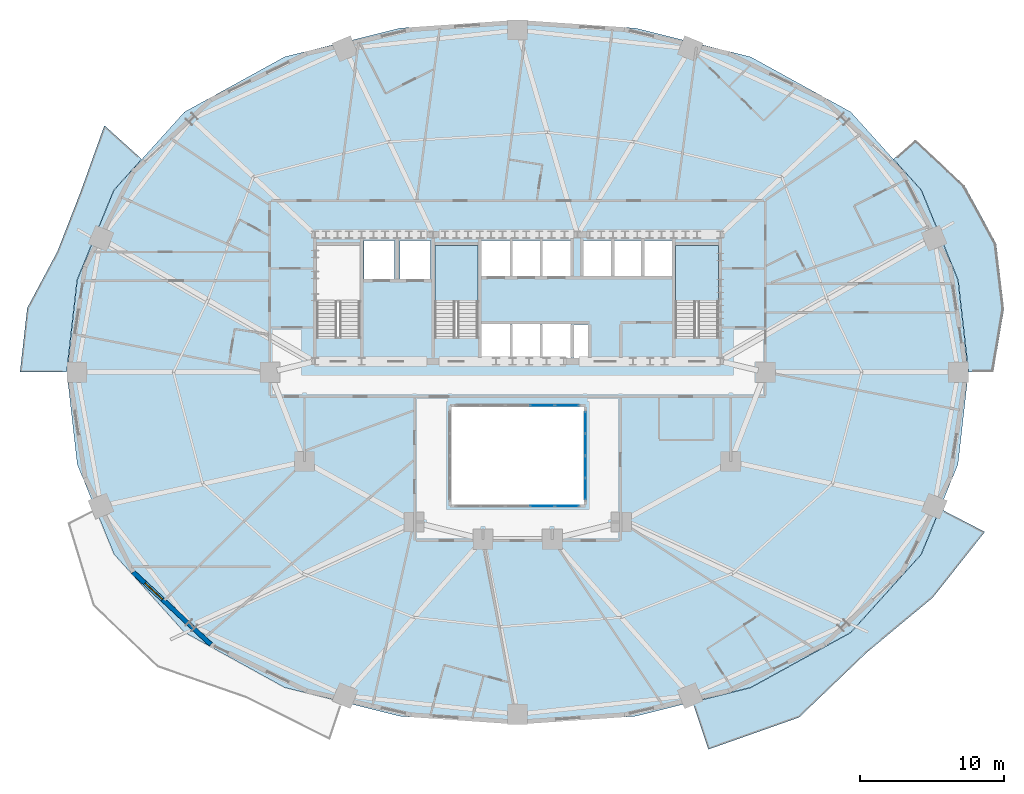
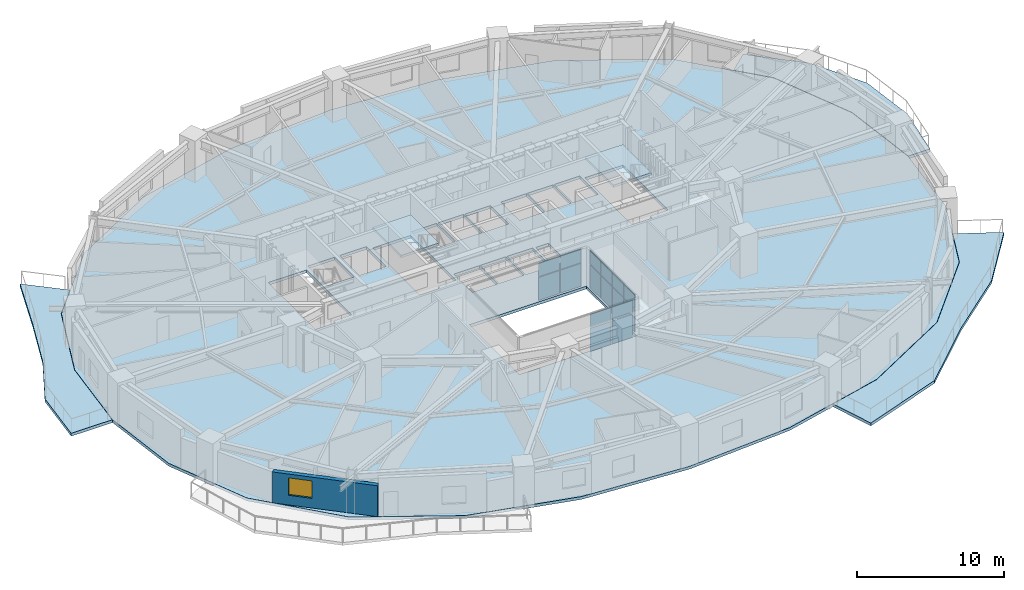
# One storey, part 8 of 17: 16 plates, 6 slabs, 1 wall, 1 window, 1 opening, 5 elements without a shape of their own.
"""IFC4 building model written with IfcOpenShell, lengths in metres."""

from ifc_helpers import new_model, si_unit, direction, frame, frame_2d, origin, origin_2d, place, context, subcontext, project, spatial, polyline, rectangle, outline, extrude, material, layer, layer_set, type_object, element, fill, aggregate, save


model = new_model("IFC4")

# Units and contexts
model_context = context("Model", 3, precision=1e-05, world=origin(), true_north=direction((0.0, 1.0)))
body_context = subcontext(model_context, "Body", "Model", "MODEL_VIEW")
ifc_project = project(units=[si_unit("LENGTHUNIT", "METRE"), si_unit("AREAUNIT", "SQUARE_METRE"), si_unit("VOLUMEUNIT", "CUBIC_METRE"), si_unit("PLANEANGLEUNIT", "RADIAN"), si_unit("MASSUNIT", "GRAM", prefix="KILO")], contexts=[model_context])

# Site, building, storey
site_placement = place(None, origin())
site = spatial("IfcSite", under=ifc_project, at=site_placement, CompositionType="ELEMENT")
building_placement = place(site_placement, origin())
building = spatial("IfcBuilding", under=site, at=building_placement, Name="Haldorwick Loom Tower", CompositionType="ELEMENT")
storey_placement = place(building_placement, frame((0.0, 0.0, 55.050048828125)))
storey = spatial("IfcBuildingStorey", under=building, at=storey_placement, Name="L14", CompositionType="ELEMENT", Elevation=55.050048828125)

# Curtain wall, plates
ifc_material_1 = material(Name="Thermally Broken Anodized Aluminium Curtain Wall Framing", Category="aluminium")
curtain_wall_type = type_object("IfcCurtainWallType", Name="ARC-CW-03", PredefinedType="NOTDEFINED", material=ifc_material_1)
curtain_wall_1_placement = place(storey_placement, origin())
curtain_wall_1 = element("IfcCurtainWall", 1, at=curtain_wall_1_placement, inside=storey, type_object=curtain_wall_type, Name="L14 Atrium Glazed Screen S", PredefinedType="NOTDEFINED")
ifc_material_2 = material(Name="Triple-Glazed Low-E Argon Insulated Glazing Unit", Category="glass")
ifc_layer_1 = layer(ifc_material_2, 0.04296875, Name="Triple-Glazed Low-E Argon Insulated Glazing Unit", Category="glass")
ifc_layer_set_1 = layer_set([ifc_layer_1], Name="Triple-Glazed Low-E Argon Insulated Glazing Unit")
plate_type = type_object("IfcPlateType", Name="ARC-CWP-03", PredefinedType="CURTAIN_PANEL", material=ifc_layer_set_1)
plate_1_placement = place(storey_placement, frame((39.423583984375, 16.699951171875, 0.06591796875), z_axis=(0.0, 0.0, 1.0), x_axis=(-1.0, 0.0, 0.0)))
plate_1 = element("IfcPlate", 2, at=plate_1_placement, type_object=plate_type, Name="CW-03 panel 1.1", PredefinedType="CURTAIN_PANEL", context=body_context, shape_type="SweptSolid", body=[
    extrude(rectangle(XDim=1.62109375, YDim=0.04296875, at=origin_2d()), origin(), (0.0, 0.0, 1.0), 1.90087890625),
])
plate_2_placement = place(storey_placement, frame((39.423583984375, 16.699951171875, 2.03271484375), z_axis=(0.0, 0.0, 1.0), x_axis=(-1.0, 0.0, 0.0)))
plate_2 = element("IfcPlate", 3, at=plate_2_placement, type_object=plate_type, Name="CW-03 panel 1.2", PredefinedType="CURTAIN_PANEL", context=body_context, shape_type="SweptSolid", body=[
    extrude(rectangle(XDim=1.62109375, YDim=0.04296875, at=origin_2d()), origin(), (0.0, 0.0, 1.0), 1.111083984375),
])
plate_3_placement = place(storey_placement, frame((37.719970703125, 16.699951171875, 0.06591796875), z_axis=(0.0, 0.0, 1.0), x_axis=(-1.0, 0.0, 0.0)))
plate_3 = element("IfcPlate", 4, at=plate_3_placement, type_object=plate_type, Name="CW-03 panel 2.1", PredefinedType="CURTAIN_PANEL", context=body_context, shape_type="SweptSolid", body=[
    extrude(rectangle(XDim=1.654052734375, YDim=0.04296875, at=origin_2d()), origin(), (0.0, 0.0, 1.0), 1.90087890625),
])
plate_4_placement = place(storey_placement, frame((37.719970703125, 16.699951171875, 2.03271484375), z_axis=(0.0, 0.0, 1.0), x_axis=(-1.0, 0.0, 0.0)))
plate_4 = element("IfcPlate", 5, at=plate_4_placement, type_object=plate_type, Name="CW-03 panel 2.2", PredefinedType="CURTAIN_PANEL", context=body_context, shape_type="SweptSolid", body=[
    extrude(rectangle(XDim=1.654052734375, YDim=0.04296875, at=origin_2d()), origin(), (0.0, 0.0, 1.0), 1.111083984375),
])
aggregate(curtain_wall_1, [plate_1, plate_2, plate_3, plate_4])

curtain_wall_2_placement = place(storey_placement, origin())
curtain_wall_2 = element("IfcCurtainWall", 6, at=curtain_wall_2_placement, inside=storey, type_object=curtain_wall_type, Name="L14 Atrium Glazed Screen N", PredefinedType="NOTDEFINED")
plate_5_placement = place(storey_placement, frame((37.719970703125, 23.699951171875, 0.06591796875), z_axis=(0.0, 0.0, 1.0), x_axis=(1.0, 0.0, 0.0)))
plate_5 = element("IfcPlate", 7, at=plate_5_placement, type_object=plate_type, Name="CW-03 panel 4.1", PredefinedType="CURTAIN_PANEL", context=body_context, shape_type="SweptSolid", body=[
    extrude(rectangle(XDim=1.654052734375, YDim=0.04296875, at=origin_2d()), origin(), (0.0, 0.0, 1.0), 1.90087890625),
])
plate_6_placement = place(storey_placement, frame((37.719970703125, 23.699951171875, 2.03271484375), z_axis=(0.0, 0.0, 1.0), x_axis=(1.0, 0.0, 0.0)))
plate_6 = element("IfcPlate", 8, at=plate_6_placement, type_object=plate_type, Name="CW-03 panel 4.2", PredefinedType="CURTAIN_PANEL", context=body_context, shape_type="SweptSolid", body=[
    extrude(rectangle(XDim=1.654052734375, YDim=0.04296875, at=origin_2d()), origin(), (0.0, 0.0, 1.0), 1.111083984375),
])
plate_7_placement = place(storey_placement, frame((39.423583984375, 23.699951171875, 0.06591796875), z_axis=(0.0, 0.0, 1.0), x_axis=(1.0, 0.0, 0.0)))
plate_7 = element("IfcPlate", 9, at=plate_7_placement, type_object=plate_type, Name="CW-03 panel 5.1", PredefinedType="CURTAIN_PANEL", context=body_context, shape_type="SweptSolid", body=[
    extrude(rectangle(XDim=1.62109375, YDim=0.04296875, at=origin_2d()), origin(), (0.0, 0.0, 1.0), 1.90087890625),
])
plate_8_placement = place(storey_placement, frame((39.423583984375, 23.699951171875, 2.03271484375), z_axis=(0.0, 0.0, 1.0), x_axis=(1.0, 0.0, 0.0)))
plate_8 = element("IfcPlate", 10, at=plate_8_placement, type_object=plate_type, Name="CW-03 panel 5.2", PredefinedType="CURTAIN_PANEL", context=body_context, shape_type="SweptSolid", body=[
    extrude(rectangle(XDim=1.62109375, YDim=0.04296875, at=origin_2d()), origin(), (0.0, 0.0, 1.0), 1.111083984375),
])
aggregate(curtain_wall_2, [plate_5, plate_6, plate_7, plate_8])

curtain_wall_3_placement = place(storey_placement, origin())
curtain_wall_3 = element("IfcCurtainWall", 11, at=curtain_wall_3_placement, inside=storey, type_object=curtain_wall_type, Name="L14 Atrium Glazed Screen E", PredefinedType="NOTDEFINED")
plate_9_placement = place(storey_placement, frame((40.699951171875, 22.508544921875, 0.06591796875), z_axis=(0.0, 0.0, 1.0), x_axis=(0.0, -1.0, 0.0)))
plate_9 = element("IfcPlate", 12, at=plate_9_placement, type_object=plate_type, Name="CW-03 panel 1.1", PredefinedType="CURTAIN_PANEL", context=body_context, shape_type="SweptSolid", body=[
    extrude(rectangle(XDim=1.450927734375, YDim=0.04296875, at=origin_2d()), origin(), (0.0, 0.0, 1.0), 1.90087890625),
])
plate_10_placement = place(storey_placement, frame((40.699951171875, 22.508544921875, 2.03271484375), z_axis=(0.0, 0.0, 1.0), x_axis=(0.0, -1.0, 0.0)))
plate_10 = element("IfcPlate", 13, at=plate_10_placement, type_object=plate_type, Name="CW-03 panel 1.2", PredefinedType="CURTAIN_PANEL", context=body_context, shape_type="SweptSolid", body=[
    extrude(rectangle(XDim=1.450927734375, YDim=0.04296875, at=origin_2d()), origin(), (0.0, 0.0, 1.0), 1.111083984375),
])
plate_11_placement = place(storey_placement, frame((40.699951171875, 20.97509765625, 0.06591796875), z_axis=(0.0, 0.0, 1.0), x_axis=(0.0, -1.0, 0.0)))
plate_11 = element("IfcPlate", 14, at=plate_11_placement, type_object=plate_type, Name="CW-03 panel 2.1", PredefinedType="CURTAIN_PANEL", context=body_context, shape_type="SweptSolid", body=[
    extrude(rectangle(XDim=1.48388671875, YDim=0.04296875, at=origin_2d()), origin(), (0.0, 0.0, 1.0), 1.90087890625),
])
plate_12_placement = place(storey_placement, frame((40.699951171875, 20.97509765625, 2.03271484375), z_axis=(0.0, 0.0, 1.0), x_axis=(0.0, -1.0, 0.0)))
plate_12 = element("IfcPlate", 15, at=plate_12_placement, type_object=plate_type, Name="CW-03 panel 2.2", PredefinedType="CURTAIN_PANEL", context=body_context, shape_type="SweptSolid", body=[
    extrude(rectangle(XDim=1.48388671875, YDim=0.04296875, at=origin_2d()), origin(), (0.0, 0.0, 1.0), 1.111083984375),
])
plate_13_placement = place(storey_placement, frame((40.699951171875, 19.425048828125, 0.06591796875), z_axis=(0.0, 0.0, 1.0), x_axis=(0.0, -1.0, 0.0)))
plate_13 = element("IfcPlate", 16, at=plate_13_placement, type_object=plate_type, Name="CW-03 panel 3.1", PredefinedType="CURTAIN_PANEL", context=body_context, shape_type="SweptSolid", body=[
    extrude(rectangle(XDim=1.48388671875, YDim=0.04296875, at=origin_2d()), origin(), (0.0, 0.0, 1.0), 1.90087890625),
])
plate_14_placement = place(storey_placement, frame((40.699951171875, 19.425048828125, 2.03271484375), z_axis=(0.0, 0.0, 1.0), x_axis=(0.0, -1.0, 0.0)))
plate_14 = element("IfcPlate", 17, at=plate_14_placement, type_object=plate_type, Name="CW-03 panel 3.2", PredefinedType="CURTAIN_PANEL", context=body_context, shape_type="SweptSolid", body=[
    extrude(rectangle(XDim=1.48388671875, YDim=0.04296875, at=origin_2d()), origin(), (0.0, 0.0, 1.0), 1.111083984375),
])
plate_15_placement = place(storey_placement, frame((40.699951171875, 17.8916015625, 0.06591796875), z_axis=(0.0, 0.0, 1.0), x_axis=(0.0, -1.0, 0.0)))
plate_15 = element("IfcPlate", 18, at=plate_15_placement, type_object=plate_type, Name="CW-03 panel 4.1", PredefinedType="CURTAIN_PANEL", context=body_context, shape_type="SweptSolid", body=[
    extrude(rectangle(XDim=1.450927734375, YDim=0.04296875, at=origin_2d()), origin(), (0.0, 0.0, 1.0), 1.90087890625),
])
plate_16_placement = place(storey_placement, frame((40.699951171875, 17.8916015625, 2.03271484375), z_axis=(0.0, 0.0, 1.0), x_axis=(0.0, -1.0, 0.0)))
plate_16 = element("IfcPlate", 19, at=plate_16_placement, type_object=plate_type, Name="CW-03 panel 4.2", PredefinedType="CURTAIN_PANEL", context=body_context, shape_type="SweptSolid", body=[
    extrude(rectangle(XDim=1.450927734375, YDim=0.04296875, at=origin_2d()), origin(), (0.0, 0.0, 1.0), 1.111083984375),
])
aggregate(curtain_wall_3, [plate_9, plate_10, plate_11, plate_12, plate_13, plate_14, plate_15, plate_16])

# Slabs
ifc_material_3 = material(Name="Concrete C40 (40 MPa)", Category="concrete")
ifc_layer_2 = layer(ifc_material_3, 0.239990234375, Name="Concrete C40 (40 MPa)", Category="concrete")
ifc_layer_set_2 = layer_set([ifc_layer_2], Name="Concrete C40 (40 MPa)")
slab_type_1 = type_object("IfcSlabType", Name="STR-SLB-BAL240", PredefinedType="FLOOR", material=ifc_layer_set_2)
slab_1_placement = place(storey_placement, frame((0.0, 0.0, -0.239990234375)))
element("IfcSlab", 20, at=slab_1_placement, inside=storey, type_object=slab_type_1, Name="L14 Sinusoidal Balcony Terrace BAL_SE", PredefinedType="FLOOR", context=body_context, shape_type="SweptSolid", body=[
    extrude(outline(polyline([(65.324462890625, 16.51708984375), (64.031494140625, 13.356689453125), (64.031005859375, 13.355712890625), (64.030517578125, 13.3544921875), (64.02978515625, 13.353515625), (64.02880859375, 13.3525390625), (59.13623046875, 7.92333984375), (59.13525390625, 7.922119140625), (59.1337890625, 7.921142578125), (59.13232421875, 7.92041015625), (52.18310546875, 4.09814453125), (52.18212890625, 4.097412109375), (52.180908203125, 4.096923828125), (52.1796875, 4.0966796875), (48.15185546875, 3.091064453125), (49.24560546875, -0.186279296875), (55.5439453125, 2.037109375), (60.22314453125, 6.52783203125), (64.82373046875, 10.352783203125), (68.435546875, 14.910400390625), (65.324462890625, 16.51708984375)])), origin(), (0.0, 0.0, 1.0), 0.239990234375),
])
slab_2_placement = place(storey_placement, frame((0.0, 0.0, -0.239990234375)))
element("IfcSlab", 21, at=slab_2_placement, inside=storey, type_object=slab_type_1, Name="L14 Sinusoidal Balcony Terrace BAL_WNW", PredefinedType="FLOOR", context=body_context, shape_type="SweptSolid", body=[
    extrude(outline(polyline([(4.68896484375, 26.0), (4.689208984375, 26.001708984375), (5.41552734375, 32.40087890625), (5.415771484375, 32.40234375), (5.416015625, 32.40380859375), (5.41650390625, 32.405029296875), (7.968505859375, 38.643310546875), (7.968994140625, 38.644287109375), (7.969482421875, 38.6455078125), (7.97021484375, 38.646484375), (7.97119140625, 38.6474609375), (9.901611328125, 40.789794921875), (7.31591796875, 43.12744140625), (5.65380859375, 38.49658203125), (4.054443359375, 34.3876953125), (1.956298828125, 30.449462890625), (1.4541015625, 26.0), (4.68896484375, 26.0)])), origin(), (0.0, 0.0, 1.0), 0.239990234375),
])
slab_3_placement = place(storey_placement, frame((0.0, 0.0, -0.239990234375)))
element("IfcSlab", 22, at=slab_3_placement, inside=storey, type_object=slab_type_1, Name="L14 Sinusoidal Balcony Terrace BAL_ENE", PredefinedType="FLOOR", context=body_context, shape_type="SweptSolid", body=[
    extrude(outline(polyline([(62.09912109375, 40.788818359375), (64.02880859375, 38.6474609375), (64.02978515625, 38.646484375), (64.030517578125, 38.6455078125), (64.031005859375, 38.644287109375), (64.031494140625, 38.643310546875), (66.58349609375, 32.405029296875), (66.583984375, 32.40380859375), (66.584228515625, 32.40234375), (66.58447265625, 32.40087890625), (67.310791015625, 26.001708984375), (67.31103515625, 26.0), (69.0224609375, 26.0), (69.7666015625, 30.393310546875), (69.227783203125, 34.9208984375), (67.033447265625, 38.94482421875), (63.613525390625, 42.1318359375), (62.09912109375, 40.788818359375)])), origin(), (0.0, 0.0, 1.0), 0.239990234375),
])

# Stair, slab
stair_type = type_object("IfcStairType", Name="STR-STR-CORE", PredefinedType="HALF_TURN_STAIR", material=ifc_material_3)
stair_1_placement = place(storey_placement, origin())
stair_1 = element("IfcStair", 23, at=stair_1_placement, inside=storey, type_object=stair_type, Name="L14 Exit Stair ST-02", PredefinedType="HALF_TURN_STAIR")
ifc_layer_3 = layer(ifc_material_3, 0.199951171875, Name="Concrete C40 (40 MPa)", Category="concrete")
ifc_layer_set_3 = layer_set([ifc_layer_3], Name="Concrete C40 (40 MPa)")
slab_type_2 = type_object("IfcSlabType", Name="STR-SLB-LAND200", PredefinedType="LANDING", material=ifc_layer_set_3)
slab_4_placement = place(storey_placement, frame((0.0, 0.0, 1.52490234375)))
slab_4 = element("IfcSlab", 24, at=slab_4_placement, type_object=slab_type_2, Name="ST-02 landing 1", PredefinedType="LANDING", context=body_context, shape_type="SweptSolid", body=[
    extrude(outline(polyline([(49.949951171875, 30.919921875), (49.949951171875, 34.800048828125), (46.949951171875, 34.800048828125), (46.949951171875, 30.919921875), (49.949951171875, 30.919921875)])), origin(), (0.0, 0.0, 1.0), 0.199951171875),
])
aggregate(stair_1, [slab_4])

stair_2_placement = place(storey_placement, origin())
stair_2 = element("IfcStair", 25, at=stair_2_placement, inside=storey, type_object=stair_type, Name="L14 Exit Stair ST-03", PredefinedType="HALF_TURN_STAIR")
slab_5_placement = place(storey_placement, frame((0.0, 0.0, 1.52490234375)))
slab_5 = element("IfcSlab", 26, at=slab_5_placement, type_object=slab_type_2, Name="ST-03 landing 1", PredefinedType="LANDING", context=body_context, shape_type="SweptSolid", body=[
    extrude(outline(polyline([(33.25, 30.919921875), (33.25, 34.800048828125), (30.25, 34.800048828125), (30.25, 30.919921875), (33.25, 30.919921875)])), origin(), (0.0, 0.0, 1.0), 0.199951171875),
])
aggregate(stair_2, [slab_5])

# Slab
ifc_layer_4 = layer(ifc_material_3, 0.239990234375, Name="Concrete C40 (40 MPa)", Category="concrete")
ifc_layer_set_4 = layer_set([ifc_layer_4], Name="Concrete C40 (40 MPa)")
slab_type_3 = type_object("IfcSlabType", Name="STR-SLB-RES240", PredefinedType="FLOOR", material=ifc_layer_set_4)
slab_6_placement = place(storey_placement, frame((0.0, 0.0, -0.239990234375)))
element("IfcSlab", 27, at=slab_6_placement, inside=storey, type_object=slab_type_3, Name="L14 Residential Structural Floor Slab", PredefinedType="FLOOR", context=body_context, shape_type="SweptSolid", body=[
    extrude(outline(polyline([(59.125244140625, 7.933349609375), (64.017578125, 13.362548828125), (66.569580078125, 19.6005859375), (67.2958984375, 26.0), (66.569580078125, 32.3994140625), (64.017578125, 38.637451171875), (59.125244140625, 44.066650390625), (52.176025390625, 47.888916015625), (44.191162109375, 49.882568359375), (36.0, 50.449951171875), (27.808837890625, 49.882568359375), (19.823974609375, 47.888916015625), (12.874755859375, 44.066650390625), (7.982421875, 38.637451171875), (5.430419921875, 32.3994140625), (4.7041015625, 26.0), (5.430419921875, 19.6005859375), (7.982421875, 13.362548828125), (12.874755859375, 7.933349609375), (19.823974609375, 4.111083984375), (27.808837890625, 2.117431640625), (36.0, 1.550048828125), (44.191162109375, 2.117431640625), (52.176025390625, 4.111083984375), (59.125244140625, 7.933349609375)]), holes=[polyline([(31.39990234375, 23.60009765625), (40.60009765625, 23.60009765625), (40.60009765625, 16.800048828125), (31.39990234375, 16.800048828125), (31.39990234375, 23.60009765625)]), polyline([(33.5, 26.85009765625), (33.5, 29.35009765625), (35.5, 29.35009765625), (35.5, 26.85009765625), (33.5, 26.85009765625)]), polyline([(22.050048828125, 28.39990234375), (22.050048828125, 34.800048828125), (25.050048828125, 34.800048828125), (25.050048828125, 28.639892578125), (23.6201171875, 28.639892578125), (23.6201171875, 28.39990234375), (22.050048828125, 28.39990234375)]), polyline([(30.25, 28.39990234375), (30.25, 34.800048828125), (33.25, 34.800048828125), (33.25, 28.639892578125), (31.820068359375, 28.639892578125), (31.820068359375, 28.39990234375), (30.25, 28.39990234375)]), polyline([(25.35009765625, 32.449951171875), (25.35009765625, 35.14990234375), (27.449951171875, 35.14990234375), (27.449951171875, 32.449951171875), (25.35009765625, 32.449951171875)]), polyline([(27.85009765625, 32.449951171875), (27.85009765625, 35.14990234375), (29.949951171875, 35.14990234375), (29.949951171875, 32.449951171875), (27.85009765625, 32.449951171875)]), polyline([(33.5, 32.64990234375), (33.5, 35.14990234375), (35.5, 35.14990234375), (35.5, 32.64990234375), (33.5, 32.64990234375)]), polyline([(35.60009765625, 32.64990234375), (35.60009765625, 35.14990234375), (37.60009765625, 35.14990234375), (37.60009765625, 32.64990234375), (35.60009765625, 32.64990234375)]), polyline([(35.60009765625, 26.85009765625), (35.60009765625, 29.35009765625), (37.60009765625, 29.35009765625), (37.60009765625, 26.85009765625), (35.60009765625, 26.85009765625)]), polyline([(37.699951171875, 26.85009765625), (37.699951171875, 29.35009765625), (39.699951171875, 29.35009765625), (39.699951171875, 26.85009765625), (37.699951171875, 26.85009765625)]), polyline([(39.89990234375, 26.89990234375), (39.89990234375, 29.300048828125), (40.89990234375, 29.300048828125), (40.89990234375, 26.89990234375), (39.89990234375, 26.89990234375)]), polyline([(46.949951171875, 28.39990234375), (46.949951171875, 34.800048828125), (49.949951171875, 34.800048828125), (49.949951171875, 28.639892578125), (48.52001953125, 28.639892578125), (48.52001953125, 28.39990234375), (46.949951171875, 28.39990234375)]), polyline([(37.699951171875, 32.64990234375), (37.699951171875, 35.14990234375), (39.699951171875, 35.14990234375), (39.699951171875, 32.64990234375), (37.699951171875, 32.64990234375)]), polyline([(40.550048828125, 32.64990234375), (40.550048828125, 35.14990234375), (42.550048828125, 35.14990234375), (42.550048828125, 32.64990234375), (40.550048828125, 32.64990234375)]), polyline([(42.64990234375, 32.64990234375), (42.64990234375, 35.14990234375), (44.64990234375, 35.14990234375), (44.64990234375, 32.64990234375), (42.64990234375, 32.64990234375)]), polyline([(44.75, 32.64990234375), (44.75, 35.14990234375), (46.75, 35.14990234375), (46.75, 32.64990234375), (44.75, 32.64990234375)])]), origin(), (0.0, 0.0, 1.0), 0.239990234375),
])

# Wall, opening, window
ifc_material_4 = material(Name="Pressed Clay Face Brick and Insulated Masonry Backup Assembly", Category="masonry")
ifc_layer_5 = layer(ifc_material_4, 0.320068359375, Name="Pressed Clay Face Brick and Insulated Masonry Backup Assembly", Category="masonry")
ifc_layer_set_5 = layer_set([ifc_layer_5], Name="Pressed Clay Face Brick and Insulated Masonry Backup Assembly")
wall_type = type_object("IfcWallType", Name="ARC-WL-EXT320", PredefinedType="STANDARD", material=ifc_layer_set_5)
wall_placement = place(storey_placement, frame((9.311279296875, 12.119140625, 0.0), z_axis=(0.0, 0.0, 1.0), x_axis=(0.73176101237, -0.681561311091, 0.0)))
wall = element("IfcWall", 28, at=wall_placement, inside=storey, type_object=wall_type, Name="L14 Brick Pier and Spandrel Wall 15", PredefinedType="STANDARD", context=body_context, shape_type="SweptSolid", body=[
    extrude(rectangle(XDim=7.3583984375, YDim=0.320068359375, at=frame_2d((3.67919921875, 0.0))), origin(), (0.0, 0.0, 1.0), 2.56884765625),
])
opening_placement = place(wall_placement, frame((1.1181640625, 0.0, 0.800048828125)))
opening = element("IfcOpeningElement", 29, at=opening_placement, cuts=wall, Name="Opening W-01B", PredefinedType="OPENING", context=body_context, shape_type="SweptSolid", body=[
    extrude(rectangle(XDim=1.64990234375, YDim=1.449951171875, at=frame_2d((0.824951171875, 0.72509765625))), frame((0.0, 0.169921875, 0.0), z_axis=(0.0, -1.0, 0.0), x_axis=(1.0, 0.0, 0.0)), (0.0, 0.0, 1.0), 0.340087890625),
])
window_type = type_object("IfcWindowType", Name="ARC-WIN-W165", PartitioningType="SINGLE_PANEL", PredefinedType="WINDOW", material=ifc_material_2)
window_placement = place(opening_placement, origin())
window = element("IfcWindow", 30, at=window_placement, inside=storey, type_object=window_type, Name="L14 Deep-Set Zone 7A Window 15", OverallHeight=1.449951171875, OverallWidth=1.64990234375, PartitioningType="SINGLE_PANEL", PredefinedType="WINDOW", context=body_context, shape_type="SweptSolid", body=[
    extrude(rectangle(XDim=1.64990234375, YDim=1.449951171875, at=frame_2d((0.824951171875, 0.72509765625))), frame((0.0, 0.030029296875, 0.0), z_axis=(0.0, -1.0, 0.0), x_axis=(1.0, 0.0, 0.0)), (0.0, 0.0, 1.0), 0.06005859375),
])
fill(opening, window)

save(model, "model.ifc")
